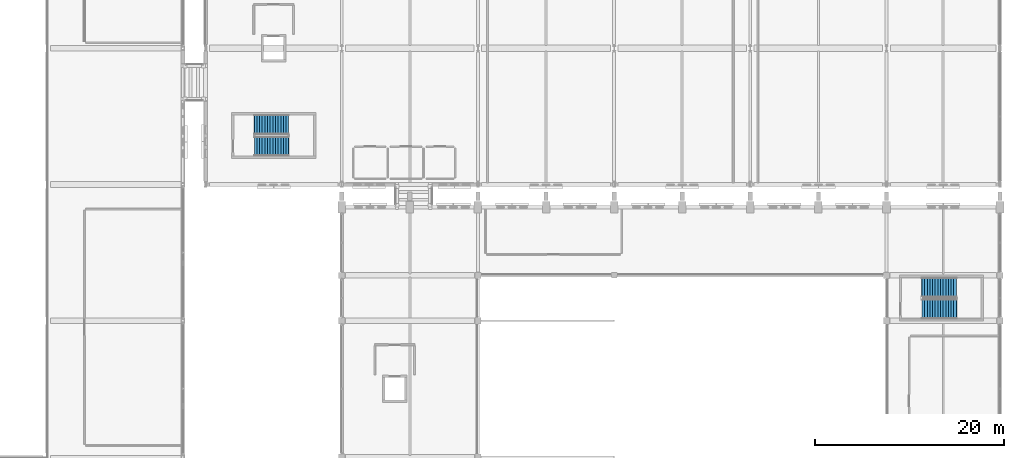
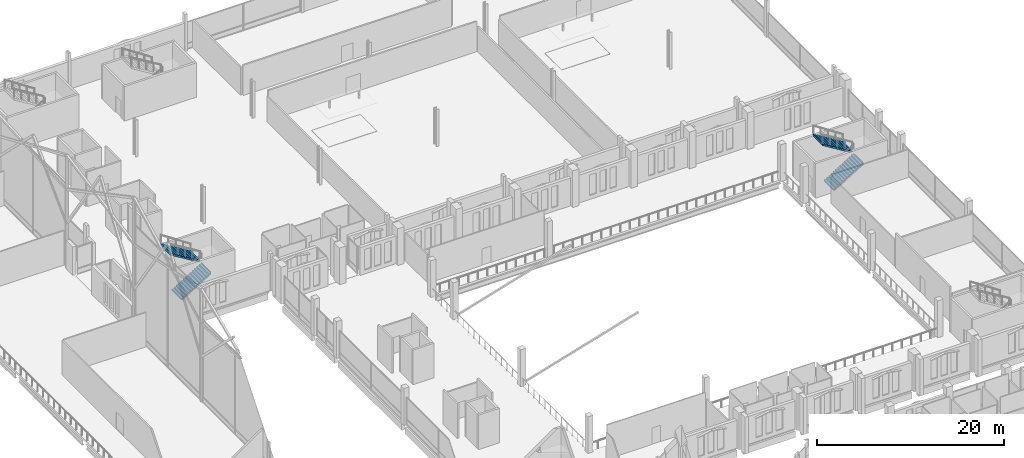
# One storey, part 190 of 220: 4 stair flights, 2 elements without a shape of their own.
"""IFC4 building model written with IfcOpenShell, lengths in metres."""

from ifc_helpers import new_model, si_unit, direction, frame, origin, place, context, subcontext, project, spatial, triangles, material, type_object, element, aggregate, save


model = new_model("IFC4")

# Units and contexts
model_context = context("Model", 3, precision=1e-05, world=origin(), true_north=direction((0.0, 1.0)))
body_context = subcontext(model_context, "Body", "Model", "MODEL_VIEW")
ifc_project = project(units=[si_unit("LENGTHUNIT", "METRE"), si_unit("AREAUNIT", "SQUARE_METRE"), si_unit("VOLUMEUNIT", "CUBIC_METRE"), si_unit("PLANEANGLEUNIT", "RADIAN"), si_unit("MASSUNIT", "GRAM", prefix="KILO")], contexts=[model_context])

# Site, building, storey
site_placement = place(None, origin())
site = spatial("IfcSite", under=ifc_project, at=site_placement, CompositionType="ELEMENT")
building_placement = place(site_placement, origin())
building = spatial("IfcBuilding", under=site, at=building_placement, Name="Cendralis Lancet Convention Centre", CompositionType="ELEMENT")
storey_placement = place(building_placement, frame((0.0, 0.0, 5.39990234375)))
storey = spatial("IfcBuildingStorey", under=building, at=storey_placement, Name="L01", CompositionType="ELEMENT", Elevation=5.39990234375)

# Stair, stair flights
ifc_material = material(Name="Concrete G35 (C35/45)", Category="concrete")
stair_type = type_object("IfcStairType", Name="ARC-ST-CORE", PredefinedType="HALF_TURN_STAIR", material=ifc_material)
stair_1_placement = place(storey_placement, origin())
stair_1 = element("IfcStair", 1, at=stair_1_placement, inside=storey, type_object=stair_type, Name="L01 Protected Exit Stair ST-07", PredefinedType="HALF_TURN_STAIR")
stair_flight_type = type_object("IfcStairFlightType", Name="ARC-SF-CORE", PredefinedType="STRAIGHT", material=ifc_material)
stair_flight_1_placement = place(storey_placement, frame((129.949951171875, 97.64990234375, 0.0), z_axis=(0.0, 0.0, 1.0), x_axis=(1.0, 0.0, 0.0)))
stair_flight_1 = element("IfcStairFlight", 2, at=stair_flight_1_placement, type_object=stair_flight_type, Name="ST-07 flight 1", NumberOfRisers=14, NumberOfTreads=13, PredefinedType="STRAIGHT", RiserHeight=0.171428571, TreadLength=0.28, context=body_context, shape_type="Tessellation", body=[
    triangles([(0.0, 0.0, 0.085714), (0.0, 1.050049, 0.0), (0.0, -1.050049, 0.0), (0.0, -1.050049, 0.171429), (0.0, 1.050049, 0.171429), (0.14, 0.0, 0.171429), (0.28, -1.050049, 0.171429), (0.28, 1.050049, 0.171429), (0.14, 0.0, 0.0), (0.28, -1.050049, 0.0), (0.28, 1.050049, 0.0), (0.28, 0.0, 0.257143), (0.28, -1.050049, 0.342857), (0.28, 1.050049, 0.342857), (0.283543, 0.0, 0.342857), (0.287085, -1.050049, 0.342857), (0.287085, 1.050049, 0.342857), (0.283543, 0.0, 0.0), (0.287085, -1.050049, 0.0), (0.287085, 1.050049, 0.0), (0.423543, 0.0, 0.342857), (0.56, -1.050049, 0.342857), (0.56, 1.050049, 0.342857), (0.423543, 0.0, 0.083545), (0.56, -1.050049, 0.167091), (0.56, 1.050049, 0.167091), (0.56, 0.0, 0.428572), (0.56, -1.050049, 0.514286), (0.56, 1.050049, 0.514286), (0.7, 0.0, 0.514286), (0.84, -1.050049, 0.514286), (0.84, 1.050049, 0.514286), (0.7, 0.0, 0.252806), (0.84, -1.050049, 0.33852), (0.84, 1.050049, 0.33852), (0.84, 0.0, 0.6), (0.84, -1.050049, 0.685714), (0.84, 1.050049, 0.685714), (0.98, 0.0, 0.685714), (1.12, -1.050049, 0.685714), (1.12, 1.050049, 0.685714), (0.98, 0.0, 0.424234), (1.12, -1.050049, 0.509948), (1.12, 1.050049, 0.509948), (1.12, 0.0, 0.771429), (1.12, -1.050049, 0.857143), (1.12, 1.050049, 0.857143), (1.26, 0.0, 0.857143), (1.4, -1.050049, 0.857143), (1.4, 1.050049, 0.857143), (1.26, 0.0, 0.595662), (1.4, -1.050049, 0.681377), (1.4, 1.050049, 0.681377), (1.4, 0.0, 0.942857), (1.4, -1.050049, 1.028571), (1.4, 1.050049, 1.028571), (1.54, 0.0, 1.028571), (1.68, -1.050049, 1.028571), (1.68, 1.050049, 1.028571), (1.54, 0.0, 0.767091), (1.68, -1.050049, 0.852805), (1.68, 1.050049, 0.852805), (1.68, 0.0, 1.114286), (1.68, -1.050049, 1.2), (1.68, 1.050049, 1.2), (1.82, 0.0, 1.2), (1.96, -1.050049, 1.2), (1.96, 1.050049, 1.2), (1.82, 0.0, 0.938519), (1.96, -1.050049, 1.024234), (1.96, 1.050049, 1.024234), (1.96, 0.0, 1.285715), (1.96, -1.050049, 1.371429), (1.96, 1.050049, 1.371429), (2.1, 0.0, 1.371429), (2.24, -1.050049, 1.371429), (2.24, 1.050049, 1.371429), (2.1, 0.0, 1.109948), (2.24, -1.050049, 1.195662), (2.24, 1.050049, 1.195662), (2.24, 0.0, 1.457143), (2.24, -1.050049, 1.542857), (2.24, 1.050049, 1.542857), (2.38, 0.0, 1.542857), (2.52, -1.050049, 1.542857), (2.52, 1.050049, 1.542857), (2.38, 0.0, 1.281376), (2.52, -1.050049, 1.367091), (2.52, 1.050049, 1.367091), (2.52, 0.0, 1.628572), (2.52, -1.050049, 1.714286), (2.52, 1.050049, 1.714286), (2.66, 0.0, 1.714286), (2.8, -1.050049, 1.714286), (2.8, 1.050049, 1.714286), (2.66, 0.0, 1.452806), (2.8, -1.050049, 1.53852), (2.8, 1.050049, 1.53852), (2.8, 0.0, 1.8), (2.8, -1.050049, 1.885714), (2.8, 1.050049, 1.885714), (2.94, 0.0, 1.885714), (3.08, -1.050049, 1.885714), (3.08, 1.050049, 1.885714), (2.94, 0.0, 1.624234), (3.08, -1.050049, 1.709948), (3.08, 1.050049, 1.709948), (3.08, 0.0, 1.971429), (3.08, -1.050049, 2.057143), (3.08, 1.050049, 2.057143), (3.22, 0.0, 2.057143), (3.36, -1.050049, 2.057143), (3.36, 1.050049, 2.057143), (3.22, 0.0, 1.795663), (3.36, -1.050049, 1.881377), (3.36, 1.050049, 1.881377), (3.36, 0.0, 2.142857), (3.36, -1.050049, 2.228571), (3.36, 1.050049, 2.228571), (3.5, 0.0, 2.228571), (3.64, -1.050049, 2.228571), (3.64, 1.050049, 2.228571), (3.5, 0.0, 1.967091), (3.64, -1.050049, 2.052805), (3.64, 1.050049, 2.052805), (3.64, 0.0, 2.314285), (3.64, -1.050049, 2.4), (3.64, 1.050049, 2.4), (3.66, 0.0, 2.4), (3.68, -1.050049, 2.4), (3.68, 1.050049, 2.4), (3.66, 0.0, 2.052805), (3.68, -1.050049, 2.052805), (3.68, 1.050049, 2.052805), (3.68, 0.0, 2.226403)], [[2, 3, 1], [3, 4, 1], [4, 5, 1], [5, 2, 1], [4, 7, 6], [7, 8, 6], [8, 5, 6], [5, 4, 6], [10, 3, 9], [3, 2, 9], [2, 11, 9], [11, 10, 9], [3, 10, 7], [3, 7, 4], [2, 8, 11], [2, 5, 8], [8, 7, 12], [7, 13, 12], [13, 14, 12], [14, 8, 12], [13, 16, 15], [16, 17, 15], [17, 14, 15], [14, 13, 15], [19, 10, 18], [10, 11, 18], [11, 20, 18], [20, 19, 18], [10, 19, 16], [10, 16, 7], [7, 16, 13], [11, 17, 20], [11, 8, 17], [8, 14, 17], [16, 22, 21], [22, 23, 21], [23, 17, 21], [17, 16, 21], [25, 19, 24], [19, 20, 24], [20, 26, 24], [26, 25, 24], [19, 25, 22], [19, 22, 16], [20, 23, 26], [20, 17, 23], [23, 22, 27], [22, 28, 27], [28, 29, 27], [29, 23, 27], [28, 31, 30], [31, 32, 30], [32, 29, 30], [29, 28, 30], [34, 25, 33], [25, 26, 33], [26, 35, 33], [35, 34, 33], [25, 34, 31], [25, 31, 22], [22, 31, 28], [26, 32, 35], [26, 23, 32], [23, 29, 32], [32, 31, 36], [31, 37, 36], [37, 38, 36], [38, 32, 36], [37, 40, 39], [40, 41, 39], [41, 38, 39], [38, 37, 39], [43, 34, 42], [34, 35, 42], [35, 44, 42], [44, 43, 42], [34, 43, 40], [34, 40, 31], [31, 40, 37], [35, 41, 44], [35, 32, 41], [32, 38, 41], [41, 40, 45], [40, 46, 45], [46, 47, 45], [47, 41, 45], [46, 49, 48], [49, 50, 48], [50, 47, 48], [47, 46, 48], [52, 43, 51], [43, 44, 51], [44, 53, 51], [53, 52, 51], [43, 52, 49], [43, 49, 40], [40, 49, 46], [44, 50, 53], [44, 41, 50], [41, 47, 50], [50, 49, 54], [49, 55, 54], [55, 56, 54], [56, 50, 54], [55, 58, 57], [58, 59, 57], [59, 56, 57], [56, 55, 57], [61, 52, 60], [52, 53, 60], [53, 62, 60], [62, 61, 60], [52, 61, 58], [52, 58, 49], [49, 58, 55], [53, 59, 62], [53, 50, 59], [50, 56, 59], [59, 58, 63], [58, 64, 63], [64, 65, 63], [65, 59, 63], [64, 67, 66], [67, 68, 66], [68, 65, 66], [65, 64, 66], [70, 61, 69], [61, 62, 69], [62, 71, 69], [71, 70, 69], [61, 70, 67], [61, 67, 58], [58, 67, 64], [62, 68, 71], [62, 59, 68], [59, 65, 68], [68, 67, 72], [67, 73, 72], [73, 74, 72], [74, 68, 72], [73, 76, 75], [76, 77, 75], [77, 74, 75], [74, 73, 75], [79, 70, 78], [70, 71, 78], [71, 80, 78], [80, 79, 78], [70, 79, 76], [70, 76, 67], [67, 76, 73], [71, 77, 80], [71, 68, 77], [68, 74, 77], [77, 76, 81], [76, 82, 81], [82, 83, 81], [83, 77, 81], [82, 85, 84], [85, 86, 84], [86, 83, 84], [83, 82, 84], [88, 79, 87], [79, 80, 87], [80, 89, 87], [89, 88, 87], [79, 88, 85], [79, 85, 76], [76, 85, 82], [80, 86, 89], [80, 77, 86], [77, 83, 86], [86, 85, 90], [85, 91, 90], [91, 92, 90], [92, 86, 90], [91, 94, 93], [94, 95, 93], [95, 92, 93], [92, 91, 93], [97, 88, 96], [88, 89, 96], [89, 98, 96], [98, 97, 96], [88, 97, 94], [88, 94, 85], [85, 94, 91], [89, 95, 98], [89, 86, 95], [86, 92, 95], [95, 94, 99], [94, 100, 99], [100, 101, 99], [101, 95, 99], [100, 103, 102], [103, 104, 102], [104, 101, 102], [101, 100, 102], [106, 97, 105], [97, 98, 105], [98, 107, 105], [107, 106, 105], [97, 106, 103], [97, 103, 94], [94, 103, 100], [98, 104, 107], [98, 95, 104], [95, 101, 104], [104, 103, 108], [103, 109, 108], [109, 110, 108], [110, 104, 108], [109, 112, 111], [112, 113, 111], [113, 110, 111], [110, 109, 111], [115, 106, 114], [106, 107, 114], [107, 116, 114], [116, 115, 114], [106, 115, 112], [106, 112, 103], [103, 112, 109], [107, 113, 116], [107, 104, 113], [104, 110, 113], [113, 112, 117], [112, 118, 117], [118, 119, 117], [119, 113, 117], [118, 121, 120], [121, 122, 120], [122, 119, 120], [119, 118, 120], [124, 115, 123], [115, 116, 123], [116, 125, 123], [125, 124, 123], [115, 124, 121], [115, 121, 112], [112, 121, 118], [116, 122, 125], [116, 113, 122], [113, 119, 122], [122, 121, 126], [121, 127, 126], [127, 128, 126], [128, 122, 126], [127, 130, 129], [130, 131, 129], [131, 128, 129], [128, 127, 129], [133, 124, 132], [124, 125, 132], [125, 134, 132], [134, 133, 132], [124, 133, 130], [124, 130, 121], [121, 130, 127], [125, 131, 134], [125, 122, 131], [122, 128, 131], [133, 134, 135], [134, 131, 135], [131, 130, 135], [130, 133, 135]], closed=True),
])
stair_flight_2_placement = place(storey_placement, frame((133.590087890625, 99.929931640625, 2.400146484375), z_axis=(0.0, 0.0, 1.0), x_axis=(-1.0, 0.0, 0.0)))
stair_flight_2 = element("IfcStairFlight", 3, at=stair_flight_2_placement, type_object=stair_flight_type, Name="ST-07 flight 2", NumberOfRisers=14, NumberOfTreads=13, PredefinedType="STRAIGHT", RiserHeight=0.171428571, TreadLength=0.28, context=body_context, shape_type="Tessellation", body=[
    triangles([(0.0, 0.0, 0.085714), (0.0, 1.050049, 0.0), (0.0, -1.050049, 0.0), (0.0, -1.050049, 0.171429), (0.0, 1.050049, 0.171429), (0.14, 0.0, 0.171429), (0.28, -1.050049, 0.171429), (0.28, 1.050049, 0.171429), (0.14, 0.0, 0.0), (0.28, -1.050049, 0.0), (0.28, 1.050049, 0.0), (0.28, 0.0, 0.257143), (0.28, -1.050049, 0.342857), (0.28, 1.050049, 0.342857), (0.283543, 0.0, 0.342857), (0.287085, -1.050049, 0.342857), (0.287085, 1.050049, 0.342857), (0.283543, 0.0, 0.0), (0.287085, -1.050049, 0.0), (0.287085, 1.050049, 0.0), (0.423543, 0.0, 0.342857), (0.56, -1.050049, 0.342857), (0.56, 1.050049, 0.342857), (0.423543, 0.0, 0.083545), (0.56, -1.050049, 0.167091), (0.56, 1.050049, 0.167091), (0.56, 0.0, 0.428572), (0.56, -1.050049, 0.514286), (0.56, 1.050049, 0.514286), (0.7, 0.0, 0.514286), (0.84, -1.050049, 0.514286), (0.84, 1.050049, 0.514286), (0.7, 0.0, 0.252806), (0.84, -1.050049, 0.33852), (0.84, 1.050049, 0.33852), (0.84, 0.0, 0.6), (0.84, -1.050049, 0.685714), (0.84, 1.050049, 0.685714), (0.98, 0.0, 0.685714), (1.12, -1.050049, 0.685714), (1.12, 1.050049, 0.685714), (0.98, 0.0, 0.424234), (1.12, -1.050049, 0.509948), (1.12, 1.050049, 0.509948), (1.12, 0.0, 0.771429), (1.12, -1.050049, 0.857143), (1.12, 1.050049, 0.857143), (1.26, 0.0, 0.857143), (1.4, -1.050049, 0.857143), (1.4, 1.050049, 0.857143), (1.26, 0.0, 0.595662), (1.4, -1.050049, 0.681377), (1.4, 1.050049, 0.681377), (1.4, 0.0, 0.942857), (1.4, -1.050049, 1.028571), (1.4, 1.050049, 1.028571), (1.54, 0.0, 1.028571), (1.68, -1.050049, 1.028571), (1.68, 1.050049, 1.028571), (1.54, 0.0, 0.767091), (1.68, -1.050049, 0.852805), (1.68, 1.050049, 0.852805), (1.68, 0.0, 1.114286), (1.68, -1.050049, 1.2), (1.68, 1.050049, 1.2), (1.82, 0.0, 1.2), (1.96, -1.050049, 1.2), (1.96, 1.050049, 1.2), (1.82, 0.0, 0.938519), (1.96, -1.050049, 1.024234), (1.96, 1.050049, 1.024234), (1.96, 0.0, 1.285715), (1.96, -1.050049, 1.371429), (1.96, 1.050049, 1.371429), (2.1, 0.0, 1.371429), (2.24, -1.050049, 1.371429), (2.24, 1.050049, 1.371429), (2.1, 0.0, 1.109948), (2.24, -1.050049, 1.195662), (2.24, 1.050049, 1.195662), (2.24, 0.0, 1.457143), (2.24, -1.050049, 1.542857), (2.24, 1.050049, 1.542857), (2.38, 0.0, 1.542857), (2.52, -1.050049, 1.542857), (2.52, 1.050049, 1.542857), (2.38, 0.0, 1.281376), (2.52, -1.050049, 1.367091), (2.52, 1.050049, 1.367091), (2.52, 0.0, 1.628572), (2.52, -1.050049, 1.714286), (2.52, 1.050049, 1.714286), (2.66, 0.0, 1.714286), (2.8, -1.050049, 1.714286), (2.8, 1.050049, 1.714286), (2.66, 0.0, 1.452806), (2.8, -1.050049, 1.53852), (2.8, 1.050049, 1.53852), (2.8, 0.0, 1.8), (2.8, -1.050049, 1.885714), (2.8, 1.050049, 1.885714), (2.94, 0.0, 1.885714), (3.08, -1.050049, 1.885714), (3.08, 1.050049, 1.885714), (2.94, 0.0, 1.624234), (3.08, -1.050049, 1.709948), (3.08, 1.050049, 1.709948), (3.08, 0.0, 1.971429), (3.08, -1.050049, 2.057143), (3.08, 1.050049, 2.057143), (3.22, 0.0, 2.057143), (3.36, -1.050049, 2.057143), (3.36, 1.050049, 2.057143), (3.22, 0.0, 1.795663), (3.36, -1.050049, 1.881377), (3.36, 1.050049, 1.881377), (3.36, 0.0, 2.142857), (3.36, -1.050049, 2.228571), (3.36, 1.050049, 2.228571), (3.5, 0.0, 2.228571), (3.64, -1.050049, 2.228571), (3.64, 1.050049, 2.228571), (3.5, 0.0, 1.967091), (3.64, -1.050049, 2.052805), (3.64, 1.050049, 2.052805), (3.64, 0.0, 2.314285), (3.64, -1.050049, 2.4), (3.64, 1.050049, 2.4), (3.66, 0.0, 2.4), (3.68, -1.050049, 2.4), (3.68, 1.050049, 2.4), (3.66, 0.0, 2.052805), (3.68, -1.050049, 2.052805), (3.68, 1.050049, 2.052805), (3.68, 0.0, 2.226403)], [[2, 3, 1], [3, 4, 1], [4, 5, 1], [5, 2, 1], [4, 7, 6], [7, 8, 6], [8, 5, 6], [5, 4, 6], [10, 3, 9], [3, 2, 9], [2, 11, 9], [11, 10, 9], [3, 10, 7], [3, 7, 4], [2, 8, 11], [2, 5, 8], [8, 7, 12], [7, 13, 12], [13, 14, 12], [14, 8, 12], [13, 16, 15], [16, 17, 15], [17, 14, 15], [14, 13, 15], [19, 10, 18], [10, 11, 18], [11, 20, 18], [20, 19, 18], [10, 19, 16], [10, 16, 7], [7, 16, 13], [11, 17, 20], [11, 8, 17], [8, 14, 17], [16, 22, 21], [22, 23, 21], [23, 17, 21], [17, 16, 21], [25, 19, 24], [19, 20, 24], [20, 26, 24], [26, 25, 24], [19, 25, 22], [19, 22, 16], [20, 23, 26], [20, 17, 23], [23, 22, 27], [22, 28, 27], [28, 29, 27], [29, 23, 27], [28, 31, 30], [31, 32, 30], [32, 29, 30], [29, 28, 30], [34, 25, 33], [25, 26, 33], [26, 35, 33], [35, 34, 33], [25, 34, 31], [25, 31, 22], [22, 31, 28], [26, 32, 35], [26, 23, 32], [23, 29, 32], [32, 31, 36], [31, 37, 36], [37, 38, 36], [38, 32, 36], [37, 40, 39], [40, 41, 39], [41, 38, 39], [38, 37, 39], [43, 34, 42], [34, 35, 42], [35, 44, 42], [44, 43, 42], [34, 43, 40], [34, 40, 31], [31, 40, 37], [35, 41, 44], [35, 32, 41], [32, 38, 41], [41, 40, 45], [40, 46, 45], [46, 47, 45], [47, 41, 45], [46, 49, 48], [49, 50, 48], [50, 47, 48], [47, 46, 48], [52, 43, 51], [43, 44, 51], [44, 53, 51], [53, 52, 51], [43, 52, 49], [43, 49, 40], [40, 49, 46], [44, 50, 53], [44, 41, 50], [41, 47, 50], [50, 49, 54], [49, 55, 54], [55, 56, 54], [56, 50, 54], [55, 58, 57], [58, 59, 57], [59, 56, 57], [56, 55, 57], [61, 52, 60], [52, 53, 60], [53, 62, 60], [62, 61, 60], [52, 61, 58], [52, 58, 49], [49, 58, 55], [53, 59, 62], [53, 50, 59], [50, 56, 59], [59, 58, 63], [58, 64, 63], [64, 65, 63], [65, 59, 63], [64, 67, 66], [67, 68, 66], [68, 65, 66], [65, 64, 66], [70, 61, 69], [61, 62, 69], [62, 71, 69], [71, 70, 69], [61, 70, 67], [61, 67, 58], [58, 67, 64], [62, 68, 71], [62, 59, 68], [59, 65, 68], [68, 67, 72], [67, 73, 72], [73, 74, 72], [74, 68, 72], [73, 76, 75], [76, 77, 75], [77, 74, 75], [74, 73, 75], [79, 70, 78], [70, 71, 78], [71, 80, 78], [80, 79, 78], [70, 79, 76], [70, 76, 67], [67, 76, 73], [71, 77, 80], [71, 68, 77], [68, 74, 77], [77, 76, 81], [76, 82, 81], [82, 83, 81], [83, 77, 81], [82, 85, 84], [85, 86, 84], [86, 83, 84], [83, 82, 84], [88, 79, 87], [79, 80, 87], [80, 89, 87], [89, 88, 87], [79, 88, 85], [79, 85, 76], [76, 85, 82], [80, 86, 89], [80, 77, 86], [77, 83, 86], [86, 85, 90], [85, 91, 90], [91, 92, 90], [92, 86, 90], [91, 94, 93], [94, 95, 93], [95, 92, 93], [92, 91, 93], [97, 88, 96], [88, 89, 96], [89, 98, 96], [98, 97, 96], [88, 97, 94], [88, 94, 85], [85, 94, 91], [89, 95, 98], [89, 86, 95], [86, 92, 95], [95, 94, 99], [94, 100, 99], [100, 101, 99], [101, 95, 99], [100, 103, 102], [103, 104, 102], [104, 101, 102], [101, 100, 102], [106, 97, 105], [97, 98, 105], [98, 107, 105], [107, 106, 105], [97, 106, 103], [97, 103, 94], [94, 103, 100], [98, 104, 107], [98, 95, 104], [95, 101, 104], [104, 103, 108], [103, 109, 108], [109, 110, 108], [110, 104, 108], [109, 112, 111], [112, 113, 111], [113, 110, 111], [110, 109, 111], [115, 106, 114], [106, 107, 114], [107, 116, 114], [116, 115, 114], [106, 115, 112], [106, 112, 103], [103, 112, 109], [107, 113, 116], [107, 104, 113], [104, 110, 113], [113, 112, 117], [112, 118, 117], [118, 119, 117], [119, 113, 117], [118, 121, 120], [121, 122, 120], [122, 119, 120], [119, 118, 120], [124, 115, 123], [115, 116, 123], [116, 125, 123], [125, 124, 123], [115, 124, 121], [115, 121, 112], [112, 121, 118], [116, 122, 125], [116, 113, 122], [113, 119, 122], [122, 121, 126], [121, 127, 126], [127, 128, 126], [128, 122, 126], [127, 130, 129], [130, 131, 129], [131, 128, 129], [128, 127, 129], [133, 124, 132], [124, 125, 132], [125, 134, 132], [134, 133, 132], [124, 133, 130], [124, 130, 121], [121, 130, 127], [125, 131, 134], [125, 122, 131], [122, 128, 131], [133, 134, 135], [134, 131, 135], [131, 130, 135], [130, 133, 135]], closed=True),
])
aggregate(stair_1, [stair_flight_1, stair_flight_2])

stair_2_placement = place(storey_placement, origin())
stair_2 = element("IfcStair", 4, at=stair_2_placement, inside=storey, type_object=stair_type, Name="L01 Protected Exit Stair ST-10", PredefinedType="HALF_TURN_STAIR")
stair_flight_3_placement = place(storey_placement, frame((200.550048828125, 80.449951171875, 0.0), z_axis=(0.0, 0.0, 1.0), x_axis=(1.0, 0.0, 0.0)))
stair_flight_3 = element("IfcStairFlight", 5, at=stair_flight_3_placement, type_object=stair_flight_type, Name="ST-10 flight 1", NumberOfRisers=14, NumberOfTreads=13, PredefinedType="STRAIGHT", RiserHeight=0.171428571, TreadLength=0.28, context=body_context, shape_type="Tessellation", body=[
    triangles([(0.0, 0.0, 0.085714), (0.0, 1.050049, 0.0), (0.0, -1.050049, 0.0), (0.0, -1.050049, 0.171429), (0.0, 1.050049, 0.171429), (0.14, 0.0, 0.171429), (0.28, -1.050049, 0.171429), (0.28, 1.050049, 0.171429), (0.14, 0.0, 0.0), (0.28, -1.050049, 0.0), (0.28, 1.050049, 0.0), (0.28, 0.0, 0.257143), (0.28, -1.050049, 0.342857), (0.28, 1.050049, 0.342857), (0.283543, 0.0, 0.342857), (0.287085, -1.050049, 0.342857), (0.287085, 1.050049, 0.342857), (0.283543, 0.0, 0.0), (0.287085, -1.050049, 0.0), (0.287085, 1.050049, 0.0), (0.423543, 0.0, 0.342857), (0.56, -1.050049, 0.342857), (0.56, 1.050049, 0.342857), (0.423543, 0.0, 0.083545), (0.56, -1.050049, 0.167091), (0.56, 1.050049, 0.167091), (0.56, 0.0, 0.428572), (0.56, -1.050049, 0.514286), (0.56, 1.050049, 0.514286), (0.7, 0.0, 0.514286), (0.84, -1.050049, 0.514286), (0.84, 1.050049, 0.514286), (0.7, 0.0, 0.252806), (0.84, -1.050049, 0.33852), (0.84, 1.050049, 0.33852), (0.84, 0.0, 0.6), (0.84, -1.050049, 0.685714), (0.84, 1.050049, 0.685714), (0.98, 0.0, 0.685714), (1.12, -1.050049, 0.685714), (1.12, 1.050049, 0.685714), (0.98, 0.0, 0.424234), (1.12, -1.050049, 0.509948), (1.12, 1.050049, 0.509948), (1.12, 0.0, 0.771429), (1.12, -1.050049, 0.857143), (1.12, 1.050049, 0.857143), (1.26, 0.0, 0.857143), (1.4, -1.050049, 0.857143), (1.4, 1.050049, 0.857143), (1.26, 0.0, 0.595662), (1.4, -1.050049, 0.681377), (1.4, 1.050049, 0.681377), (1.4, 0.0, 0.942857), (1.4, -1.050049, 1.028571), (1.4, 1.050049, 1.028571), (1.54, 0.0, 1.028571), (1.68, -1.050049, 1.028571), (1.68, 1.050049, 1.028571), (1.54, 0.0, 0.767091), (1.68, -1.050049, 0.852805), (1.68, 1.050049, 0.852805), (1.68, 0.0, 1.114286), (1.68, -1.050049, 1.2), (1.68, 1.050049, 1.2), (1.82, 0.0, 1.2), (1.96, -1.050049, 1.2), (1.96, 1.050049, 1.2), (1.82, 0.0, 0.938519), (1.96, -1.050049, 1.024234), (1.96, 1.050049, 1.024234), (1.96, 0.0, 1.285715), (1.96, -1.050049, 1.371429), (1.96, 1.050049, 1.371429), (2.1, 0.0, 1.371429), (2.24, -1.050049, 1.371429), (2.24, 1.050049, 1.371429), (2.1, 0.0, 1.109948), (2.24, -1.050049, 1.195662), (2.24, 1.050049, 1.195662), (2.24, 0.0, 1.457143), (2.24, -1.050049, 1.542857), (2.24, 1.050049, 1.542857), (2.38, 0.0, 1.542857), (2.52, -1.050049, 1.542857), (2.52, 1.050049, 1.542857), (2.38, 0.0, 1.281376), (2.52, -1.050049, 1.367091), (2.52, 1.050049, 1.367091), (2.52, 0.0, 1.628572), (2.52, -1.050049, 1.714286), (2.52, 1.050049, 1.714286), (2.66, 0.0, 1.714286), (2.8, -1.050049, 1.714286), (2.8, 1.050049, 1.714286), (2.66, 0.0, 1.452806), (2.8, -1.050049, 1.53852), (2.8, 1.050049, 1.53852), (2.8, 0.0, 1.8), (2.8, -1.050049, 1.885714), (2.8, 1.050049, 1.885714), (2.94, 0.0, 1.885714), (3.08, -1.050049, 1.885714), (3.08, 1.050049, 1.885714), (2.94, 0.0, 1.624234), (3.08, -1.050049, 1.709948), (3.08, 1.050049, 1.709948), (3.08, 0.0, 1.971429), (3.08, -1.050049, 2.057143), (3.08, 1.050049, 2.057143), (3.22, 0.0, 2.057143), (3.36, -1.050049, 2.057143), (3.36, 1.050049, 2.057143), (3.22, 0.0, 1.795663), (3.36, -1.050049, 1.881377), (3.36, 1.050049, 1.881377), (3.36, 0.0, 2.142857), (3.36, -1.050049, 2.228571), (3.36, 1.050049, 2.228571), (3.5, 0.0, 2.228571), (3.64, -1.050049, 2.228571), (3.64, 1.050049, 2.228571), (3.5, 0.0, 1.967091), (3.64, -1.050049, 2.052805), (3.64, 1.050049, 2.052805), (3.64, 0.0, 2.314285), (3.64, -1.050049, 2.4), (3.64, 1.050049, 2.4), (3.66, 0.0, 2.4), (3.68, -1.050049, 2.4), (3.68, 1.050049, 2.4), (3.66, 0.0, 2.052805), (3.68, -1.050049, 2.052805), (3.68, 1.050049, 2.052805), (3.68, 0.0, 2.226403)], [[2, 3, 1], [3, 4, 1], [4, 5, 1], [5, 2, 1], [4, 7, 6], [7, 8, 6], [8, 5, 6], [5, 4, 6], [10, 3, 9], [3, 2, 9], [2, 11, 9], [11, 10, 9], [3, 10, 7], [3, 7, 4], [2, 8, 11], [2, 5, 8], [8, 7, 12], [7, 13, 12], [13, 14, 12], [14, 8, 12], [13, 16, 15], [16, 17, 15], [17, 14, 15], [14, 13, 15], [19, 10, 18], [10, 11, 18], [11, 20, 18], [20, 19, 18], [10, 19, 16], [10, 16, 7], [7, 16, 13], [11, 17, 20], [11, 8, 17], [8, 14, 17], [16, 22, 21], [22, 23, 21], [23, 17, 21], [17, 16, 21], [25, 19, 24], [19, 20, 24], [20, 26, 24], [26, 25, 24], [19, 25, 22], [19, 22, 16], [20, 23, 26], [20, 17, 23], [23, 22, 27], [22, 28, 27], [28, 29, 27], [29, 23, 27], [28, 31, 30], [31, 32, 30], [32, 29, 30], [29, 28, 30], [34, 25, 33], [25, 26, 33], [26, 35, 33], [35, 34, 33], [25, 34, 31], [25, 31, 22], [22, 31, 28], [26, 32, 35], [26, 23, 32], [23, 29, 32], [32, 31, 36], [31, 37, 36], [37, 38, 36], [38, 32, 36], [37, 40, 39], [40, 41, 39], [41, 38, 39], [38, 37, 39], [43, 34, 42], [34, 35, 42], [35, 44, 42], [44, 43, 42], [34, 43, 40], [34, 40, 31], [31, 40, 37], [35, 41, 44], [35, 32, 41], [32, 38, 41], [41, 40, 45], [40, 46, 45], [46, 47, 45], [47, 41, 45], [46, 49, 48], [49, 50, 48], [50, 47, 48], [47, 46, 48], [52, 43, 51], [43, 44, 51], [44, 53, 51], [53, 52, 51], [43, 52, 49], [43, 49, 40], [40, 49, 46], [44, 50, 53], [44, 41, 50], [41, 47, 50], [50, 49, 54], [49, 55, 54], [55, 56, 54], [56, 50, 54], [55, 58, 57], [58, 59, 57], [59, 56, 57], [56, 55, 57], [61, 52, 60], [52, 53, 60], [53, 62, 60], [62, 61, 60], [52, 61, 58], [52, 58, 49], [49, 58, 55], [53, 59, 62], [53, 50, 59], [50, 56, 59], [59, 58, 63], [58, 64, 63], [64, 65, 63], [65, 59, 63], [64, 67, 66], [67, 68, 66], [68, 65, 66], [65, 64, 66], [70, 61, 69], [61, 62, 69], [62, 71, 69], [71, 70, 69], [61, 70, 67], [61, 67, 58], [58, 67, 64], [62, 68, 71], [62, 59, 68], [59, 65, 68], [68, 67, 72], [67, 73, 72], [73, 74, 72], [74, 68, 72], [73, 76, 75], [76, 77, 75], [77, 74, 75], [74, 73, 75], [79, 70, 78], [70, 71, 78], [71, 80, 78], [80, 79, 78], [70, 79, 76], [70, 76, 67], [67, 76, 73], [71, 77, 80], [71, 68, 77], [68, 74, 77], [77, 76, 81], [76, 82, 81], [82, 83, 81], [83, 77, 81], [82, 85, 84], [85, 86, 84], [86, 83, 84], [83, 82, 84], [88, 79, 87], [79, 80, 87], [80, 89, 87], [89, 88, 87], [79, 88, 85], [79, 85, 76], [76, 85, 82], [80, 86, 89], [80, 77, 86], [77, 83, 86], [86, 85, 90], [85, 91, 90], [91, 92, 90], [92, 86, 90], [91, 94, 93], [94, 95, 93], [95, 92, 93], [92, 91, 93], [97, 88, 96], [88, 89, 96], [89, 98, 96], [98, 97, 96], [88, 97, 94], [88, 94, 85], [85, 94, 91], [89, 95, 98], [89, 86, 95], [86, 92, 95], [95, 94, 99], [94, 100, 99], [100, 101, 99], [101, 95, 99], [100, 103, 102], [103, 104, 102], [104, 101, 102], [101, 100, 102], [106, 97, 105], [97, 98, 105], [98, 107, 105], [107, 106, 105], [97, 106, 103], [97, 103, 94], [94, 103, 100], [98, 104, 107], [98, 95, 104], [95, 101, 104], [104, 103, 108], [103, 109, 108], [109, 110, 108], [110, 104, 108], [109, 112, 111], [112, 113, 111], [113, 110, 111], [110, 109, 111], [115, 106, 114], [106, 107, 114], [107, 116, 114], [116, 115, 114], [106, 115, 112], [106, 112, 103], [103, 112, 109], [107, 113, 116], [107, 104, 113], [104, 110, 113], [113, 112, 117], [112, 118, 117], [118, 119, 117], [119, 113, 117], [118, 121, 120], [121, 122, 120], [122, 119, 120], [119, 118, 120], [124, 115, 123], [115, 116, 123], [116, 125, 123], [125, 124, 123], [115, 124, 121], [115, 121, 112], [112, 121, 118], [116, 122, 125], [116, 113, 122], [113, 119, 122], [122, 121, 126], [121, 127, 126], [127, 128, 126], [128, 122, 126], [127, 130, 129], [130, 131, 129], [131, 128, 129], [128, 127, 129], [133, 124, 132], [124, 125, 132], [125, 134, 132], [134, 133, 132], [124, 133, 130], [124, 130, 121], [121, 130, 127], [125, 131, 134], [125, 122, 131], [122, 128, 131], [133, 134, 135], [134, 131, 135], [131, 130, 135], [130, 133, 135]], closed=True),
])
stair_flight_4_placement = place(storey_placement, frame((204.18994140625, 82.72998046875, 2.400146484375), z_axis=(0.0, 0.0, 1.0), x_axis=(-1.0, 0.0, 0.0)))
stair_flight_4 = element("IfcStairFlight", 6, at=stair_flight_4_placement, type_object=stair_flight_type, Name="ST-10 flight 2", NumberOfRisers=14, NumberOfTreads=13, PredefinedType="STRAIGHT", RiserHeight=0.171428571, TreadLength=0.28, context=body_context, shape_type="Tessellation", body=[
    triangles([(0.0, 0.0, 0.085714), (0.0, 1.050049, 0.0), (0.0, -1.050049, 0.0), (0.0, -1.050049, 0.171429), (0.0, 1.050049, 0.171429), (0.14, 0.0, 0.171429), (0.28, -1.050049, 0.171429), (0.28, 1.050049, 0.171429), (0.14, 0.0, 0.0), (0.28, -1.050049, 0.0), (0.28, 1.050049, 0.0), (0.28, 0.0, 0.257143), (0.28, -1.050049, 0.342857), (0.28, 1.050049, 0.342857), (0.283543, 0.0, 0.342857), (0.287085, -1.050049, 0.342857), (0.287085, 1.050049, 0.342857), (0.283543, 0.0, 0.0), (0.287085, -1.050049, 0.0), (0.287085, 1.050049, 0.0), (0.423543, 0.0, 0.342857), (0.56, -1.050049, 0.342857), (0.56, 1.050049, 0.342857), (0.423543, 0.0, 0.083545), (0.56, -1.050049, 0.167091), (0.56, 1.050049, 0.167091), (0.56, 0.0, 0.428572), (0.56, -1.050049, 0.514286), (0.56, 1.050049, 0.514286), (0.7, 0.0, 0.514286), (0.84, -1.050049, 0.514286), (0.84, 1.050049, 0.514286), (0.7, 0.0, 0.252806), (0.84, -1.050049, 0.33852), (0.84, 1.050049, 0.33852), (0.84, 0.0, 0.6), (0.84, -1.050049, 0.685714), (0.84, 1.050049, 0.685714), (0.98, 0.0, 0.685714), (1.12, -1.050049, 0.685714), (1.12, 1.050049, 0.685714), (0.98, 0.0, 0.424234), (1.12, -1.050049, 0.509948), (1.12, 1.050049, 0.509948), (1.12, 0.0, 0.771429), (1.12, -1.050049, 0.857143), (1.12, 1.050049, 0.857143), (1.26, 0.0, 0.857143), (1.4, -1.050049, 0.857143), (1.4, 1.050049, 0.857143), (1.26, 0.0, 0.595662), (1.4, -1.050049, 0.681377), (1.4, 1.050049, 0.681377), (1.4, 0.0, 0.942857), (1.4, -1.050049, 1.028571), (1.4, 1.050049, 1.028571), (1.54, 0.0, 1.028571), (1.68, -1.050049, 1.028571), (1.68, 1.050049, 1.028571), (1.54, 0.0, 0.767091), (1.68, -1.050049, 0.852805), (1.68, 1.050049, 0.852805), (1.68, 0.0, 1.114286), (1.68, -1.050049, 1.2), (1.68, 1.050049, 1.2), (1.82, 0.0, 1.2), (1.96, -1.050049, 1.2), (1.96, 1.050049, 1.2), (1.82, 0.0, 0.938519), (1.96, -1.050049, 1.024234), (1.96, 1.050049, 1.024234), (1.96, 0.0, 1.285715), (1.96, -1.050049, 1.371429), (1.96, 1.050049, 1.371429), (2.1, 0.0, 1.371429), (2.24, -1.050049, 1.371429), (2.24, 1.050049, 1.371429), (2.1, 0.0, 1.109948), (2.24, -1.050049, 1.195662), (2.24, 1.050049, 1.195662), (2.24, 0.0, 1.457143), (2.24, -1.050049, 1.542857), (2.24, 1.050049, 1.542857), (2.38, 0.0, 1.542857), (2.52, -1.050049, 1.542857), (2.52, 1.050049, 1.542857), (2.38, 0.0, 1.281376), (2.52, -1.050049, 1.367091), (2.52, 1.050049, 1.367091), (2.52, 0.0, 1.628572), (2.52, -1.050049, 1.714286), (2.52, 1.050049, 1.714286), (2.66, 0.0, 1.714286), (2.8, -1.050049, 1.714286), (2.8, 1.050049, 1.714286), (2.66, 0.0, 1.452806), (2.8, -1.050049, 1.53852), (2.8, 1.050049, 1.53852), (2.8, 0.0, 1.8), (2.8, -1.050049, 1.885714), (2.8, 1.050049, 1.885714), (2.94, 0.0, 1.885714), (3.08, -1.050049, 1.885714), (3.08, 1.050049, 1.885714), (2.94, 0.0, 1.624234), (3.08, -1.050049, 1.709948), (3.08, 1.050049, 1.709948), (3.08, 0.0, 1.971429), (3.08, -1.050049, 2.057143), (3.08, 1.050049, 2.057143), (3.22, 0.0, 2.057143), (3.36, -1.050049, 2.057143), (3.36, 1.050049, 2.057143), (3.22, 0.0, 1.795663), (3.36, -1.050049, 1.881377), (3.36, 1.050049, 1.881377), (3.36, 0.0, 2.142857), (3.36, -1.050049, 2.228571), (3.36, 1.050049, 2.228571), (3.5, 0.0, 2.228571), (3.64, -1.050049, 2.228571), (3.64, 1.050049, 2.228571), (3.5, 0.0, 1.967091), (3.64, -1.050049, 2.052805), (3.64, 1.050049, 2.052805), (3.64, 0.0, 2.314285), (3.64, -1.050049, 2.4), (3.64, 1.050049, 2.4), (3.66, 0.0, 2.4), (3.68, -1.050049, 2.4), (3.68, 1.050049, 2.4), (3.66, 0.0, 2.052805), (3.68, -1.050049, 2.052805), (3.68, 1.050049, 2.052805), (3.68, 0.0, 2.226403)], [[2, 3, 1], [3, 4, 1], [4, 5, 1], [5, 2, 1], [4, 7, 6], [7, 8, 6], [8, 5, 6], [5, 4, 6], [10, 3, 9], [3, 2, 9], [2, 11, 9], [11, 10, 9], [3, 10, 7], [3, 7, 4], [2, 8, 11], [2, 5, 8], [8, 7, 12], [7, 13, 12], [13, 14, 12], [14, 8, 12], [13, 16, 15], [16, 17, 15], [17, 14, 15], [14, 13, 15], [19, 10, 18], [10, 11, 18], [11, 20, 18], [20, 19, 18], [10, 19, 16], [10, 16, 7], [7, 16, 13], [11, 17, 20], [11, 8, 17], [8, 14, 17], [16, 22, 21], [22, 23, 21], [23, 17, 21], [17, 16, 21], [25, 19, 24], [19, 20, 24], [20, 26, 24], [26, 25, 24], [19, 25, 22], [19, 22, 16], [20, 23, 26], [20, 17, 23], [23, 22, 27], [22, 28, 27], [28, 29, 27], [29, 23, 27], [28, 31, 30], [31, 32, 30], [32, 29, 30], [29, 28, 30], [34, 25, 33], [25, 26, 33], [26, 35, 33], [35, 34, 33], [25, 34, 31], [25, 31, 22], [22, 31, 28], [26, 32, 35], [26, 23, 32], [23, 29, 32], [32, 31, 36], [31, 37, 36], [37, 38, 36], [38, 32, 36], [37, 40, 39], [40, 41, 39], [41, 38, 39], [38, 37, 39], [43, 34, 42], [34, 35, 42], [35, 44, 42], [44, 43, 42], [34, 43, 40], [34, 40, 31], [31, 40, 37], [35, 41, 44], [35, 32, 41], [32, 38, 41], [41, 40, 45], [40, 46, 45], [46, 47, 45], [47, 41, 45], [46, 49, 48], [49, 50, 48], [50, 47, 48], [47, 46, 48], [52, 43, 51], [43, 44, 51], [44, 53, 51], [53, 52, 51], [43, 52, 49], [43, 49, 40], [40, 49, 46], [44, 50, 53], [44, 41, 50], [41, 47, 50], [50, 49, 54], [49, 55, 54], [55, 56, 54], [56, 50, 54], [55, 58, 57], [58, 59, 57], [59, 56, 57], [56, 55, 57], [61, 52, 60], [52, 53, 60], [53, 62, 60], [62, 61, 60], [52, 61, 58], [52, 58, 49], [49, 58, 55], [53, 59, 62], [53, 50, 59], [50, 56, 59], [59, 58, 63], [58, 64, 63], [64, 65, 63], [65, 59, 63], [64, 67, 66], [67, 68, 66], [68, 65, 66], [65, 64, 66], [70, 61, 69], [61, 62, 69], [62, 71, 69], [71, 70, 69], [61, 70, 67], [61, 67, 58], [58, 67, 64], [62, 68, 71], [62, 59, 68], [59, 65, 68], [68, 67, 72], [67, 73, 72], [73, 74, 72], [74, 68, 72], [73, 76, 75], [76, 77, 75], [77, 74, 75], [74, 73, 75], [79, 70, 78], [70, 71, 78], [71, 80, 78], [80, 79, 78], [70, 79, 76], [70, 76, 67], [67, 76, 73], [71, 77, 80], [71, 68, 77], [68, 74, 77], [77, 76, 81], [76, 82, 81], [82, 83, 81], [83, 77, 81], [82, 85, 84], [85, 86, 84], [86, 83, 84], [83, 82, 84], [88, 79, 87], [79, 80, 87], [80, 89, 87], [89, 88, 87], [79, 88, 85], [79, 85, 76], [76, 85, 82], [80, 86, 89], [80, 77, 86], [77, 83, 86], [86, 85, 90], [85, 91, 90], [91, 92, 90], [92, 86, 90], [91, 94, 93], [94, 95, 93], [95, 92, 93], [92, 91, 93], [97, 88, 96], [88, 89, 96], [89, 98, 96], [98, 97, 96], [88, 97, 94], [88, 94, 85], [85, 94, 91], [89, 95, 98], [89, 86, 95], [86, 92, 95], [95, 94, 99], [94, 100, 99], [100, 101, 99], [101, 95, 99], [100, 103, 102], [103, 104, 102], [104, 101, 102], [101, 100, 102], [106, 97, 105], [97, 98, 105], [98, 107, 105], [107, 106, 105], [97, 106, 103], [97, 103, 94], [94, 103, 100], [98, 104, 107], [98, 95, 104], [95, 101, 104], [104, 103, 108], [103, 109, 108], [109, 110, 108], [110, 104, 108], [109, 112, 111], [112, 113, 111], [113, 110, 111], [110, 109, 111], [115, 106, 114], [106, 107, 114], [107, 116, 114], [116, 115, 114], [106, 115, 112], [106, 112, 103], [103, 112, 109], [107, 113, 116], [107, 104, 113], [104, 110, 113], [113, 112, 117], [112, 118, 117], [118, 119, 117], [119, 113, 117], [118, 121, 120], [121, 122, 120], [122, 119, 120], [119, 118, 120], [124, 115, 123], [115, 116, 123], [116, 125, 123], [125, 124, 123], [115, 124, 121], [115, 121, 112], [112, 121, 118], [116, 122, 125], [116, 113, 122], [113, 119, 122], [122, 121, 126], [121, 127, 126], [127, 128, 126], [128, 122, 126], [127, 130, 129], [130, 131, 129], [131, 128, 129], [128, 127, 129], [133, 124, 132], [124, 125, 132], [125, 134, 132], [134, 133, 132], [124, 133, 130], [124, 130, 121], [121, 130, 127], [125, 131, 134], [125, 122, 131], [122, 128, 131], [133, 134, 135], [134, 131, 135], [131, 130, 135], [130, 133, 135]], closed=True),
])
aggregate(stair_2, [stair_flight_3, stair_flight_4])

save(model, "model.ifc")
